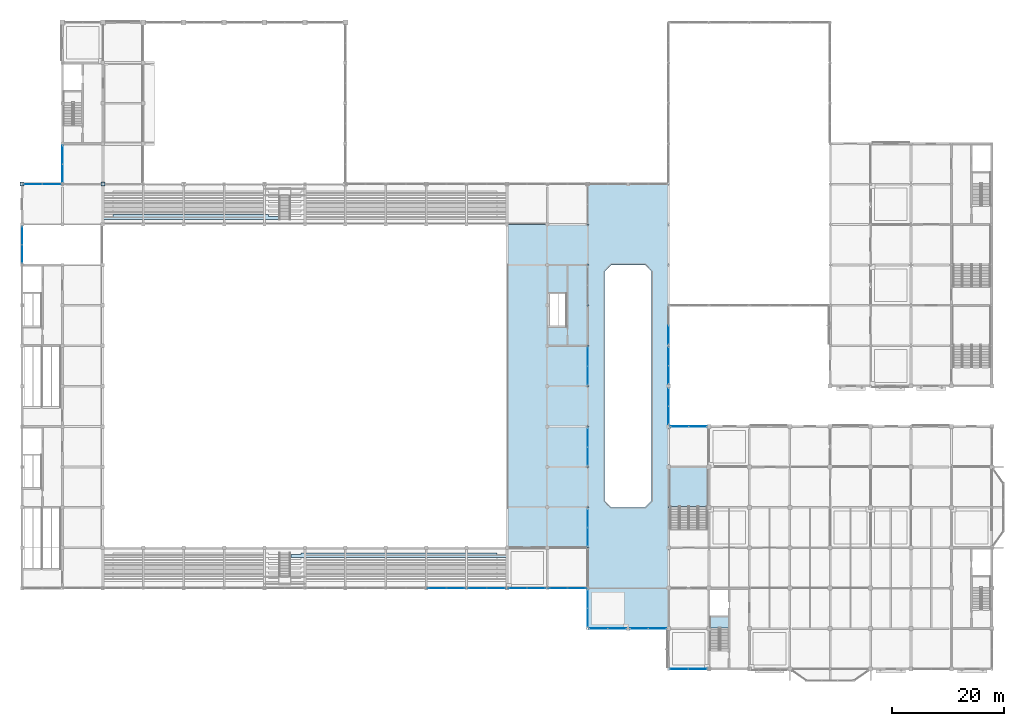
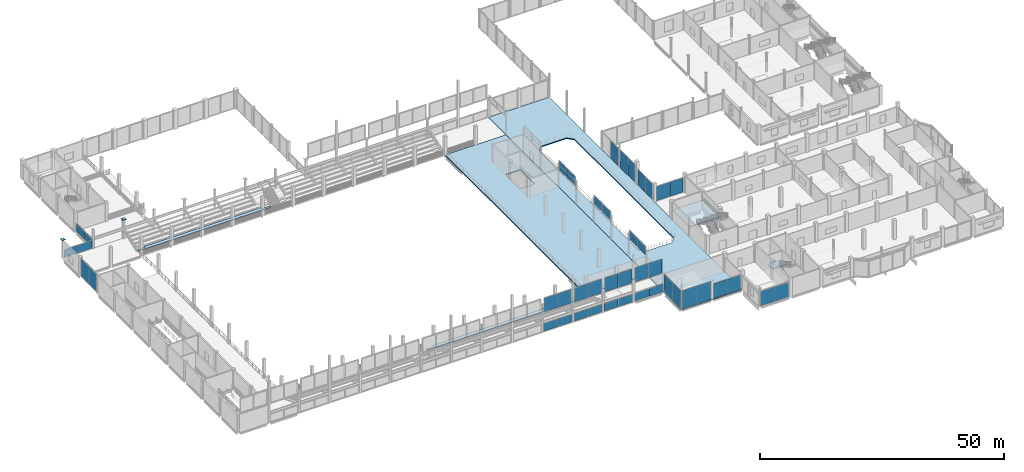
# One storey, part 82 of 120: 47 plates, 6 slabs, 25 elements without a shape of their own.
"""IFC4 building model written with IfcOpenShell, lengths in metres."""

from ifc_helpers import new_model, si_unit, direction, frame, origin, origin_2d, place, context, subcontext, project, spatial, polyline, rectangle, outline, extrude, material, layer, layer_set, type_object, element, aggregate, save


model = new_model("IFC4")

# Units and contexts
model_context = context("Model", 3, precision=1e-05, world=origin(), true_north=direction((0.0, 1.0)))
body_context = subcontext(model_context, "Body", "Model", "MODEL_VIEW")
ifc_project = project(units=[si_unit("LENGTHUNIT", "METRE"), si_unit("AREAUNIT", "SQUARE_METRE"), si_unit("VOLUMEUNIT", "CUBIC_METRE"), si_unit("PLANEANGLEUNIT", "RADIAN"), si_unit("MASSUNIT", "GRAM", prefix="KILO")], contexts=[model_context])

# Site, building, storey
site_placement = place(None, origin())
site = spatial("IfcSite", under=ifc_project, at=site_placement, CompositionType="ELEMENT")
building_placement = place(site_placement, origin())
building = spatial("IfcBuilding", under=site, at=building_placement, Name="Vesperath Aquatics Centre", CompositionType="ELEMENT")
storey_placement = place(building_placement, frame((0.0, 0.0, 10.199951171875)))
storey = spatial("IfcBuildingStorey", under=building, at=storey_placement, Name="L02", CompositionType="ELEMENT", Elevation=10.199951171875)

# Plates
ifc_material_1 = material(Name="Steel Q355D", Category="steel")
ifc_layer_1 = layer(ifc_material_1, 0.035888671875)
ifc_layer_set_1 = layer_set([ifc_layer_1], Name="Steel Q355D")
plate_type_1 = type_object("IfcPlateType", Name="PT-BP02", PredefinedType="SHEET", material=ifc_layer_set_1)
for number, where, z_axis, x_axis, name in (
    (1, (0.0, 86.39990234375, 4.76220703125), (0.0, 0.0, 1.0), (1.0, 0.0, 0.0), "Truss Bearing Base Plate NP02 G1/N"),
    (2, (14.39990234375, 86.39990234375, 4.76220703125), (0.0, 0.0, 1.0), (1.0, 0.0, 0.0), "Truss Bearing Base Plate NP02 G3/N"),
):
    element("IfcPlate", number, at=place(storey_placement, frame(where, z_axis=z_axis, x_axis=x_axis)), inside=storey, type_object=plate_type_1, Name=name, PredefinedType="SHEET", context=body_context, shape_type="SweptSolid", body=[
        extrude(rectangle(XDim=0.75, YDim=0.75, at=origin_2d()), origin(), (0.0, 0.0, 1.0), 0.035888671875),
    ])

# Curtain wall, plates
ifc_material_2 = material(Name="Thermally broken anodised bronze aluminium curtain wall", Category="aluminium")
curtain_wall_type_1 = type_object("IfcCurtainWallType", Name="CW-06", PredefinedType="NOTDEFINED", material=ifc_material_2)
curtain_wall_1_placement = place(storey_placement, origin())
curtain_wall_1 = element("IfcCurtainWall", 3, at=curtain_wall_1_placement, inside=storey, type_object=curtain_wall_type_1, Name="Facade Curtain Wall CW06 L02_S_16_00", PredefinedType="NOTDEFINED")
ifc_material_3 = material(Name="Triple low-E argon insulated vision glass", Category="glass")
ifc_layer_2 = layer(ifc_material_3, 0.035888671875)
ifc_layer_set_2 = layer_set([ifc_layer_2], Name="Triple low-E argon insulated vision glass")
plate_type_2 = type_object("IfcPlateType", Name="PT-CWP05", PredefinedType="CURTAIN_PANEL", material=ifc_layer_set_2)
plate_1_placement = place(storey_placement, frame((117.023681640625, 0.0, 0.070068359375), z_axis=(0.0, 0.0, 1.0), x_axis=(1.0, 0.0, 0.0)))
plate_1 = element("IfcPlate", 4, at=plate_1_placement, type_object=plate_type_2, Name="CW06 panel 1.1", PredefinedType="CURTAIN_PANEL", context=body_context, shape_type="SweptSolid", body=[
    extrude(rectangle(XDim=3.257568359375, YDim=0.035888671875, at=origin_2d()), origin(), (0.0, 0.0, 1.0), 3.6201171875),
])
plate_2_placement = place(storey_placement, frame((120.351318359375, 0.0, 0.070068359375), z_axis=(0.0, 0.0, 1.0), x_axis=(1.0, 0.0, 0.0)))
plate_2 = element("IfcPlate", 5, at=plate_2_placement, type_object=plate_type_2, Name="CW06 panel 2.1", PredefinedType="CURTAIN_PANEL", context=body_context, shape_type="SweptSolid", body=[
    extrude(rectangle(XDim=3.257568359375, YDim=0.035888671875, at=origin_2d()), origin(), (0.0, 0.0, 1.0), 3.6201171875),
])
aggregate(curtain_wall_1, [plate_1, plate_2])

curtain_wall_2_placement = place(storey_placement, origin())
curtain_wall_2 = element("IfcCurtainWall", 6, at=curtain_wall_2_placement, inside=storey, type_object=curtain_wall_type_1, Name="Facade Curtain Wall CW06 L02_S_14_01", PredefinedType="NOTDEFINED")
plate_3_placement = place(storey_placement, frame((102.7138671875, 7.199951171875, 0.070068359375), z_axis=(0.0, 0.0, 1.0), x_axis=(1.0, 0.0, 0.0)))
plate_3 = element("IfcPlate", 7, at=plate_3_placement, type_object=plate_type_2, Name="CW06 panel 1.1", PredefinedType="CURTAIN_PANEL", context=body_context, shape_type="SweptSolid", body=[
    extrude(rectangle(XDim=3.230712890625, YDim=0.035888671875, at=origin_2d()), origin(), (0.0, 0.0, 1.0), 4.419921875),
])
plate_4_placement = place(storey_placement, frame((106.0146484375, 7.199951171875, 0.070068359375), z_axis=(0.0, 0.0, 1.0), x_axis=(1.0, 0.0, 0.0)))
plate_4 = element("IfcPlate", 8, at=plate_4_placement, type_object=plate_type_2, Name="CW06 panel 2.1", PredefinedType="CURTAIN_PANEL", context=body_context, shape_type="SweptSolid", body=[
    extrude(rectangle(XDim=3.230712890625, YDim=0.035888671875, at=origin_2d()), origin(), (0.0, 0.0, 1.0), 4.419921875),
])
aggregate(curtain_wall_2, [plate_3, plate_4])

curtain_wall_3_placement = place(storey_placement, origin())
curtain_wall_3 = element("IfcCurtainWall", 9, at=curtain_wall_3_placement, inside=storey, type_object=curtain_wall_type_1, Name="Facade Curtain Wall CW06 L02_S_15_01", PredefinedType="NOTDEFINED")
plate_5_placement = place(storey_placement, frame((109.955078125, 7.199951171875, 0.070068359375), z_axis=(0.0, 0.0, 1.0), x_axis=(1.0, 0.0, 0.0)))
plate_5 = element("IfcPlate", 10, at=plate_5_placement, type_object=plate_type_2, Name="CW06 panel 1.1", PredefinedType="CURTAIN_PANEL", context=body_context, shape_type="SweptSolid", body=[
    extrude(rectangle(XDim=3.169921875, YDim=0.035888671875, at=origin_2d()), origin(), (0.0, 0.0, 1.0), 3.6201171875),
])
plate_6_placement = place(storey_placement, frame((113.195068359375, 7.199951171875, 0.070068359375), z_axis=(0.0, 0.0, 1.0), x_axis=(1.0, 0.0, 0.0)))
plate_6 = element("IfcPlate", 11, at=plate_6_placement, type_object=plate_type_2, Name="CW06 panel 2.1", PredefinedType="CURTAIN_PANEL", context=body_context, shape_type="SweptSolid", body=[
    extrude(rectangle(XDim=3.169921875, YDim=0.035888671875, at=origin_2d()), origin(), (0.0, 0.0, 1.0), 3.6201171875),
])
aggregate(curtain_wall_3, [plate_5, plate_6])

curtain_wall_4_placement = place(storey_placement, origin())
curtain_wall_4 = element("IfcCurtainWall", 12, at=curtain_wall_4_placement, inside=storey, type_object=curtain_wall_type_1, Name="Facade Curtain Wall CW06 L02_S_10_02", PredefinedType="NOTDEFINED")
plate_7_placement = place(storey_placement, frame((73.919189453125, 14.39990234375, 0.070068359375), z_axis=(0.0, 0.0, 1.0), x_axis=(1.0, 0.0, 0.0)))
plate_7 = element("IfcPlate", 13, at=plate_7_placement, type_object=plate_type_2, Name="CW06 panel 1.1", PredefinedType="CURTAIN_PANEL", context=body_context, shape_type="SweptSolid", body=[
    extrude(rectangle(XDim=3.29150390625, YDim=0.035888671875, at=origin_2d()), origin(), (0.0, 0.0, 1.0), 1.93994140625),
])
plate_8_placement = place(storey_placement, frame((77.28076171875, 14.39990234375, 0.070068359375), z_axis=(0.0, 0.0, 1.0), x_axis=(1.0, 0.0, 0.0)))
plate_8 = element("IfcPlate", 14, at=plate_8_placement, type_object=plate_type_2, Name="CW06 panel 2.1", PredefinedType="CURTAIN_PANEL", context=body_context, shape_type="SweptSolid", body=[
    extrude(rectangle(XDim=3.29150390625, YDim=0.035888671875, at=origin_2d()), origin(), (0.0, 0.0, 1.0), 1.93994140625),
])
aggregate(curtain_wall_4, [plate_7, plate_8])

curtain_wall_5_placement = place(storey_placement, origin())
curtain_wall_5 = element("IfcCurtainWall", 15, at=curtain_wall_5_placement, inside=storey, type_object=curtain_wall_type_1, Name="Facade Curtain Wall CW06 L02_S_11_02", PredefinedType="NOTDEFINED")
plate_9_placement = place(storey_placement, frame((81.119140625, 14.39990234375, 0.070068359375), z_axis=(0.0, 0.0, 1.0), x_axis=(1.0, 0.0, 0.0)))
plate_9 = element("IfcPlate", 16, at=plate_9_placement, type_object=plate_type_2, Name="CW06 panel 1.1", PredefinedType="CURTAIN_PANEL", context=body_context, shape_type="SweptSolid", body=[
    extrude(rectangle(XDim=3.29150390625, YDim=0.035888671875, at=origin_2d()), origin(), (0.0, 0.0, 1.0), 1.93994140625),
])
plate_10_placement = place(storey_placement, frame((84.480712890625, 14.39990234375, 0.070068359375), z_axis=(0.0, 0.0, 1.0), x_axis=(1.0, 0.0, 0.0)))
plate_10 = element("IfcPlate", 17, at=plate_10_placement, type_object=plate_type_2, Name="CW06 panel 2.1", PredefinedType="CURTAIN_PANEL", context=body_context, shape_type="SweptSolid", body=[
    extrude(rectangle(XDim=3.29150390625, YDim=0.035888671875, at=origin_2d()), origin(), (0.0, 0.0, 1.0), 1.93994140625),
])
aggregate(curtain_wall_5, [plate_9, plate_10])

curtain_wall_6_placement = place(storey_placement, origin())
curtain_wall_6 = element("IfcCurtainWall", 18, at=curtain_wall_6_placement, inside=storey, type_object=curtain_wall_type_1, Name="Facade Curtain Wall CW06 L02_S_12_02", PredefinedType="NOTDEFINED")
plate_11_placement = place(storey_placement, frame((88.3193359375, 14.39990234375, 0.070068359375), z_axis=(0.0, 0.0, 1.0), x_axis=(1.0, 0.0, 0.0)))
plate_11 = element("IfcPlate", 19, at=plate_11_placement, type_object=plate_type_2, Name="CW06 panel 1.1", PredefinedType="CURTAIN_PANEL", context=body_context, shape_type="SweptSolid", body=[
    extrude(rectangle(XDim=3.29150390625, YDim=0.035888671875, at=origin_2d()), origin(), (0.0, 0.0, 1.0), 1.93994140625),
])
plate_12_placement = place(storey_placement, frame((91.6806640625, 14.39990234375, 0.070068359375), z_axis=(0.0, 0.0, 1.0), x_axis=(1.0, 0.0, 0.0)))
plate_12 = element("IfcPlate", 20, at=plate_12_placement, type_object=plate_type_2, Name="CW06 panel 2.1", PredefinedType="CURTAIN_PANEL", context=body_context, shape_type="SweptSolid", body=[
    extrude(rectangle(XDim=3.29150390625, YDim=0.035888671875, at=origin_2d()), origin(), (0.0, 0.0, 1.0), 1.93994140625),
])
aggregate(curtain_wall_6, [plate_11, plate_12])

curtain_wall_7_placement = place(storey_placement, origin())
curtain_wall_7 = element("IfcCurtainWall", 21, at=curtain_wall_7_placement, inside=storey, type_object=curtain_wall_type_1, Name="Facade Curtain Wall CW06 L02_S_13_02", PredefinedType="NOTDEFINED")
plate_13_placement = place(storey_placement, frame((95.519287109375, 14.39990234375, 0.070068359375), z_axis=(0.0, 0.0, 1.0), x_axis=(1.0, 0.0, 0.0)))
plate_13 = element("IfcPlate", 22, at=plate_13_placement, type_object=plate_type_2, Name="CW06 panel 1.1", PredefinedType="CURTAIN_PANEL", context=body_context, shape_type="SweptSolid", body=[
    extrude(rectangle(XDim=3.29150390625, YDim=0.035888671875, at=origin_2d()), origin(), (0.0, 0.0, 1.0), 1.93994140625),
])
plate_14_placement = place(storey_placement, frame((98.880859375, 14.39990234375, 0.070068359375), z_axis=(0.0, 0.0, 1.0), x_axis=(1.0, 0.0, 0.0)))
plate_14 = element("IfcPlate", 23, at=plate_14_placement, type_object=plate_type_2, Name="CW06 panel 2.1", PredefinedType="CURTAIN_PANEL", context=body_context, shape_type="SweptSolid", body=[
    extrude(rectangle(XDim=3.29150390625, YDim=0.035888671875, at=origin_2d()), origin(), (0.0, 0.0, 1.0), 1.93994140625),
])
aggregate(curtain_wall_7, [plate_13, plate_14])

curtain_wall_8_placement = place(storey_placement, origin())
curtain_wall_8 = element("IfcCurtainWall", 24, at=curtain_wall_8_placement, inside=storey, type_object=curtain_wall_type_1, Name="Facade Curtain Wall CW06 L02_N_16_06", PredefinedType="NOTDEFINED")
plate_15_placement = place(storey_placement, frame((117.1923828125, 43.199951171875, 0.070068359375), z_axis=(0.0, 0.0, 1.0), x_axis=(1.0, 0.0, 0.0)))
plate_15 = element("IfcPlate", 25, at=plate_15_placement, type_object=plate_type_2, Name="CW06 panel 1.1", PredefinedType="CURTAIN_PANEL", context=body_context, shape_type="SweptSolid", body=[
    extrude(rectangle(XDim=3.14501953125, YDim=0.035888671875, at=origin_2d()), origin(), (0.0, 0.0, 1.0), 3.6201171875),
])
plate_16_placement = place(storey_placement, frame((120.407470703125, 43.199951171875, 0.070068359375), z_axis=(0.0, 0.0, 1.0), x_axis=(1.0, 0.0, 0.0)))
plate_16 = element("IfcPlate", 26, at=plate_16_placement, type_object=plate_type_2, Name="CW06 panel 2.1", PredefinedType="CURTAIN_PANEL", context=body_context, shape_type="SweptSolid", body=[
    extrude(rectangle(XDim=3.14501953125, YDim=0.035888671875, at=origin_2d()), origin(), (0.0, 0.0, 1.0), 3.6201171875),
])
aggregate(curtain_wall_8, [plate_15, plate_16])

curtain_wall_9_placement = place(storey_placement, origin())
curtain_wall_9 = element("IfcCurtainWall", 27, at=curtain_wall_9_placement, inside=storey, type_object=curtain_wall_type_1, Name="Facade Curtain Wall CW06 L02_N_00_12", PredefinedType="NOTDEFINED")
plate_17_placement = place(storey_placement, frame((1.919189453125, 86.39990234375, 0.070068359375), z_axis=(0.0, 0.0, 1.0), x_axis=(1.0, 0.0, 0.0)))
plate_17 = element("IfcPlate", 28, at=plate_17_placement, type_object=plate_type_2, Name="CW06 panel 1.1", PredefinedType="CURTAIN_PANEL", context=body_context, shape_type="SweptSolid", body=[
    extrude(rectangle(XDim=3.29150390625, YDim=0.035888671875, at=origin_2d()), origin(), (0.0, 0.0, 1.0), 1.9599609375),
])
plate_18_placement = place(storey_placement, frame((5.28076171875, 86.39990234375, 0.070068359375), z_axis=(0.0, 0.0, 1.0), x_axis=(1.0, 0.0, 0.0)))
plate_18 = element("IfcPlate", 29, at=plate_18_placement, type_object=plate_type_2, Name="CW06 panel 2.1", PredefinedType="CURTAIN_PANEL", context=body_context, shape_type="SweptSolid", body=[
    extrude(rectangle(XDim=3.29150390625, YDim=0.035888671875, at=origin_2d()), origin(), (0.0, 0.0, 1.0), 1.9599609375),
])
aggregate(curtain_wall_9, [plate_17, plate_18])

curtain_wall_10_placement = place(storey_placement, origin())
curtain_wall_10 = element("IfcCurtainWall", 30, at=curtain_wall_10_placement, inside=storey, type_object=curtain_wall_type_1, Name="Facade Curtain Wall CW06 L02_W_00_10", PredefinedType="NOTDEFINED")
plate_19_placement = place(storey_placement, frame((0.0, 73.967529296875, 0.070068359375), z_axis=(0.0, 0.0, 1.0), x_axis=(0.0, 1.0, 0.0)))
plate_19 = element("IfcPlate", 31, at=plate_19_placement, type_object=plate_type_2, Name="CW06 panel 1.1", PredefinedType="CURTAIN_PANEL", context=body_context, shape_type="SweptSolid", body=[
    extrude(rectangle(XDim=3.195068359375, YDim=0.035888671875, at=origin_2d()), origin(), (0.0, 0.0, 1.0), 4.419921875),
])
plate_20_placement = place(storey_placement, frame((0.0, 77.232421875, 0.070068359375), z_axis=(0.0, 0.0, 1.0), x_axis=(0.0, 1.0, 0.0)))
plate_20 = element("IfcPlate", 32, at=plate_20_placement, type_object=plate_type_2, Name="CW06 panel 2.1", PredefinedType="CURTAIN_PANEL", context=body_context, shape_type="SweptSolid", body=[
    extrude(rectangle(XDim=3.195068359375, YDim=0.035888671875, at=origin_2d()), origin(), (0.0, 0.0, 1.0), 4.419921875),
])
aggregate(curtain_wall_10, [plate_19, plate_20])

curtain_wall_11_placement = place(storey_placement, origin())
curtain_wall_11 = element("IfcCurtainWall", 33, at=curtain_wall_11_placement, inside=storey, type_object=curtain_wall_type_1, Name="Facade Curtain Wall CW06 L02_W_01_12", PredefinedType="NOTDEFINED")
plate_21_placement = place(storey_placement, frame((7.199951171875, 88.302978515625, 0.070068359375), z_axis=(0.0, 0.0, 1.0), x_axis=(0.0, 1.0, 0.0)))
plate_21 = element("IfcPlate", 34, at=plate_21_placement, type_object=plate_type_2, Name="CW06 panel 1.1", PredefinedType="CURTAIN_PANEL", context=body_context, shape_type="SweptSolid", body=[
    extrude(rectangle(XDim=3.238037109375, YDim=0.035888671875, at=origin_2d()), origin(), (0.0, 0.0, 1.0), 1.9599609375),
])
plate_22_placement = place(storey_placement, frame((7.199951171875, 91.611083984375, 0.070068359375), z_axis=(0.0, 0.0, 1.0), x_axis=(0.0, 1.0, 0.0)))
plate_22 = element("IfcPlate", 35, at=plate_22_placement, type_object=plate_type_2, Name="CW06 panel 2.1", PredefinedType="CURTAIN_PANEL", context=body_context, shape_type="SweptSolid", body=[
    extrude(rectangle(XDim=3.238037109375, YDim=0.035888671875, at=origin_2d()), origin(), (0.0, 0.0, 1.0), 1.9599609375),
])
aggregate(curtain_wall_11, [plate_21, plate_22])

curtain_wall_12_placement = place(storey_placement, origin())
curtain_wall_12 = element("IfcCurtainWall", 36, at=curtain_wall_12_placement, inside=storey, type_object=curtain_wall_type_1, Name="Facade Curtain Wall CW06 L02_W_14_01", PredefinedType="NOTDEFINED")
plate_23_placement = place(storey_placement, frame((100.800048828125, 9.13525390625, 0.070068359375), z_axis=(0.0, 0.0, 1.0), x_axis=(0.0, 1.0, 0.0)))
plate_23 = element("IfcPlate", 37, at=plate_23_placement, type_object=plate_type_2, Name="CW06 panel 1.1", PredefinedType="CURTAIN_PANEL", context=body_context, shape_type="SweptSolid", body=[
    extrude(rectangle(XDim=3.273681640625, YDim=0.035888671875, at=origin_2d()), origin(), (0.0, 0.0, 1.0), 4.419921875),
])
plate_24_placement = place(storey_placement, frame((100.800048828125, 12.47900390625, 0.070068359375), z_axis=(0.0, 0.0, 1.0), x_axis=(0.0, 1.0, 0.0)))
plate_24 = element("IfcPlate", 38, at=plate_24_placement, type_object=plate_type_2, Name="CW06 panel 2.1", PredefinedType="CURTAIN_PANEL", context=body_context, shape_type="SweptSolid", body=[
    extrude(rectangle(XDim=3.273681640625, YDim=0.035888671875, at=origin_2d()), origin(), (0.0, 0.0, 1.0), 4.419921875),
])
aggregate(curtain_wall_12, [plate_23, plate_24])

curtain_wall_13_placement = place(storey_placement, origin())
curtain_wall_13 = element("IfcCurtainWall", 39, at=curtain_wall_13_placement, inside=storey, type_object=curtain_wall_type_1, Name="Facade Curtain Wall CW06 L02_E_16_06", PredefinedType="NOTDEFINED")
plate_25_placement = place(storey_placement, frame((115.199951171875, 45.1923828125, 0.0703125), z_axis=(0.0, 0.0, 1.0), x_axis=(0.0, 1.0, 0.0)))
plate_25 = element("IfcPlate", 40, at=plate_25_placement, type_object=plate_type_2, Name="CW06 panel 1.1", PredefinedType="CURTAIN_PANEL", context=body_context, shape_type="SweptSolid", body=[
    extrude(rectangle(XDim=3.14501953125, YDim=0.035888671875, at=origin_2d()), origin(), (0.0, 0.0, 1.0), 3.931884765625),
])
plate_26_placement = place(storey_placement, frame((115.199951171875, 48.407470703125, 0.0703125), z_axis=(0.0, 0.0, 1.0), x_axis=(0.0, 1.0, 0.0)))
plate_26 = element("IfcPlate", 41, at=plate_26_placement, type_object=plate_type_2, Name="CW06 panel 2.1", PredefinedType="CURTAIN_PANEL", context=body_context, shape_type="SweptSolid", body=[
    extrude(rectangle(XDim=3.14501953125, YDim=0.035888671875, at=origin_2d()), origin(), (0.0, 0.0, 1.0), 3.931884765625),
])
aggregate(curtain_wall_13, [plate_25, plate_26])

curtain_wall_14_placement = place(storey_placement, origin())
curtain_wall_14 = element("IfcCurtainWall", 42, at=curtain_wall_14_placement, inside=storey, type_object=curtain_wall_type_1, Name="Facade Curtain Wall CW06 L02_E_16_07", PredefinedType="NOTDEFINED")
plate_27_placement = place(storey_placement, frame((115.199951171875, 52.4228515625, 0.070068359375), z_axis=(0.0, 0.0, 1.0), x_axis=(0.0, 1.0, 0.0)))
plate_27 = element("IfcPlate", 43, at=plate_27_placement, type_object=plate_type_2, Name="CW06 panel 1.1", PredefinedType="CURTAIN_PANEL", context=body_context, shape_type="SweptSolid", body=[
    extrude(rectangle(XDim=3.205810546875, YDim=0.035888671875, at=origin_2d()), origin(), (0.0, 0.0, 1.0), 4.419921875),
])
plate_28_placement = place(storey_placement, frame((115.199951171875, 55.69873046875, 0.070068359375), z_axis=(0.0, 0.0, 1.0), x_axis=(0.0, 1.0, 0.0)))
plate_28 = element("IfcPlate", 44, at=plate_28_placement, type_object=plate_type_2, Name="CW06 panel 2.1", PredefinedType="CURTAIN_PANEL", context=body_context, shape_type="SweptSolid", body=[
    extrude(rectangle(XDim=3.205810546875, YDim=0.035888671875, at=origin_2d()), origin(), (0.0, 0.0, 1.0), 4.419921875),
])
aggregate(curtain_wall_14, [plate_27, plate_28])

# Curtain wall, plate
curtain_wall_15_placement = place(storey_placement, origin())
curtain_wall_15 = element("IfcCurtainWall", 45, at=curtain_wall_15_placement, inside=storey, type_object=curtain_wall_type_1, Name="Facade Curtain Wall CW06 L02_E_16_08", PredefinedType="NOTDEFINED")
plate_29_placement = place(storey_placement, frame((115.199951171875, 59.53173828125, 0.070068359375), z_axis=(0.0, 0.0, 1.0), x_axis=(0.0, 1.0, 0.0)))
plate_29 = element("IfcPlate", 46, at=plate_29_placement, type_object=plate_type_2, Name="CW06 panel 1.1", PredefinedType="CURTAIN_PANEL", context=body_context, shape_type="SweptSolid", body=[
    extrude(rectangle(XDim=3.2666015625, YDim=0.035888671875, at=origin_2d()), origin(), (0.0, 0.0, 1.0), 4.419921875),
])
aggregate(curtain_wall_15, [plate_29])

# Curtain wall, plates
curtain_wall_type_2 = type_object("IfcCurtainWallType", Name="CW-08", PredefinedType="NOTDEFINED", material=ifc_material_2)
curtain_wall_16_placement = place(storey_placement, origin())
curtain_wall_16 = element("IfcCurtainWall", 47, at=curtain_wall_16_placement, inside=storey, type_object=curtain_wall_type_2, Name="Natatorium Gable West Curtain Wall CW08 S-6W", PredefinedType="NOTDEFINED")
ifc_layer_3 = layer(ifc_material_3, 0.035888671875)
ifc_layer_set_3 = layer_set([ifc_layer_3], Name="Triple low-E argon insulated vision glass")
plate_type_3 = type_object("IfcPlateType", Name="PT-CWP07", PredefinedType="CURTAIN_PANEL", material=ifc_layer_set_3)
plate_30_placement = place(storey_placement, frame((73.99365234375, 14.39990234375, 4.824951171875), z_axis=(0.0, 0.0, 1.0), x_axis=(1.0, 0.0, 0.0)))
plate_30 = element("IfcPlate", 48, at=plate_30_placement, type_object=plate_type_3, Name="CW08 panel 1.1", PredefinedType="CURTAIN_PANEL", context=body_context, shape_type="SweptSolid", body=[
    extrude(rectangle(XDim=3.137451171875, YDim=0.035888671875, at=origin_2d()), origin(), (0.0, 0.0, 1.0), 3.5),
])
plate_31_placement = place(storey_placement, frame((77.206298828125, 14.39990234375, 4.824951171875), z_axis=(0.0, 0.0, 1.0), x_axis=(1.0, 0.0, 0.0)))
plate_31 = element("IfcPlate", 49, at=plate_31_placement, type_object=plate_type_3, Name="CW08 panel 2.1", PredefinedType="CURTAIN_PANEL", context=body_context, shape_type="SweptSolid", body=[
    extrude(rectangle(XDim=3.137451171875, YDim=0.035888671875, at=origin_2d()), origin(), (0.0, 0.0, 1.0), 3.5),
])
aggregate(curtain_wall_16, [plate_30, plate_31])

curtain_wall_17_placement = place(storey_placement, origin())
curtain_wall_17 = element("IfcCurtainWall", 50, at=curtain_wall_17_placement, inside=storey, type_object=curtain_wall_type_2, Name="Natatorium Gable East Curtain Wall CW08 S-6E", PredefinedType="NOTDEFINED")
plate_32_placement = place(storey_placement, frame((81.19384765625, 14.39990234375, 4.824951171875), z_axis=(0.0, 0.0, 1.0), x_axis=(1.0, 0.0, 0.0)))
plate_32 = element("IfcPlate", 51, at=plate_32_placement, type_object=plate_type_3, Name="CW08 panel 1.1", PredefinedType="CURTAIN_PANEL", context=body_context, shape_type="SweptSolid", body=[
    extrude(rectangle(XDim=3.137451171875, YDim=0.035888671875, at=origin_2d()), origin(), (0.0, 0.0, 1.0), 3.5),
])
plate_33_placement = place(storey_placement, frame((84.40625, 14.39990234375, 4.824951171875), z_axis=(0.0, 0.0, 1.0), x_axis=(1.0, 0.0, 0.0)))
plate_33 = element("IfcPlate", 52, at=plate_33_placement, type_object=plate_type_3, Name="CW08 panel 2.1", PredefinedType="CURTAIN_PANEL", context=body_context, shape_type="SweptSolid", body=[
    extrude(rectangle(XDim=3.137451171875, YDim=0.035888671875, at=origin_2d()), origin(), (0.0, 0.0, 1.0), 3.5),
])
aggregate(curtain_wall_17, [plate_32, plate_33])

curtain_wall_18_placement = place(storey_placement, origin())
curtain_wall_18 = element("IfcCurtainWall", 53, at=curtain_wall_18_placement, inside=storey, type_object=curtain_wall_type_2, Name="Natatorium Gable West Curtain Wall CW08 S-7W", PredefinedType="NOTDEFINED")
plate_34_placement = place(storey_placement, frame((88.393798828125, 14.39990234375, 4.824951171875), z_axis=(0.0, 0.0, 1.0), x_axis=(1.0, 0.0, 0.0)))
plate_34 = element("IfcPlate", 54, at=plate_34_placement, type_object=plate_type_3, Name="CW08 panel 1.1", PredefinedType="CURTAIN_PANEL", context=body_context, shape_type="SweptSolid", body=[
    extrude(rectangle(XDim=3.137451171875, YDim=0.035888671875, at=origin_2d()), origin(), (0.0, 0.0, 1.0), 3.5),
])
plate_35_placement = place(storey_placement, frame((91.606201171875, 14.39990234375, 4.824951171875), z_axis=(0.0, 0.0, 1.0), x_axis=(1.0, 0.0, 0.0)))
plate_35 = element("IfcPlate", 55, at=plate_35_placement, type_object=plate_type_3, Name="CW08 panel 2.1", PredefinedType="CURTAIN_PANEL", context=body_context, shape_type="SweptSolid", body=[
    extrude(rectangle(XDim=3.137451171875, YDim=0.035888671875, at=origin_2d()), origin(), (0.0, 0.0, 1.0), 3.5),
])
aggregate(curtain_wall_18, [plate_34, plate_35])

curtain_wall_19_placement = place(storey_placement, origin())
curtain_wall_19 = element("IfcCurtainWall", 56, at=curtain_wall_19_placement, inside=storey, type_object=curtain_wall_type_2, Name="Natatorium Gable East Curtain Wall CW08 S-7E", PredefinedType="NOTDEFINED")
plate_36_placement = place(storey_placement, frame((95.59375, 14.39990234375, 4.824951171875), z_axis=(0.0, 0.0, 1.0), x_axis=(1.0, 0.0, 0.0)))
plate_36 = element("IfcPlate", 57, at=plate_36_placement, type_object=plate_type_3, Name="CW08 panel 1.1", PredefinedType="CURTAIN_PANEL", context=body_context, shape_type="SweptSolid", body=[
    extrude(rectangle(XDim=3.137451171875, YDim=0.035888671875, at=origin_2d()), origin(), (0.0, 0.0, 1.0), 3.5),
])
plate_37_placement = place(storey_placement, frame((98.80615234375, 14.39990234375, 4.824951171875), z_axis=(0.0, 0.0, 1.0), x_axis=(1.0, 0.0, 0.0)))
plate_37 = element("IfcPlate", 58, at=plate_37_placement, type_object=plate_type_3, Name="CW08 panel 2.1", PredefinedType="CURTAIN_PANEL", context=body_context, shape_type="SweptSolid", body=[
    extrude(rectangle(XDim=3.137451171875, YDim=0.035888671875, at=origin_2d()), origin(), (0.0, 0.0, 1.0), 3.5),
])
aggregate(curtain_wall_19, [plate_36, plate_37])

curtain_wall_type_3 = type_object("IfcCurtainWallType", Name="CW-10", PredefinedType="NOTDEFINED", material=ifc_material_2)
curtain_wall_20_placement = place(storey_placement, origin())
curtain_wall_20 = element("IfcCurtainWall", 59, at=curtain_wall_20_placement, inside=storey, type_object=curtain_wall_type_3, Name="Conservatory Vault Clerestory CW10 W-8", PredefinedType="NOTDEFINED")
plate_38_placement = place(storey_placement, frame((100.800048828125, 52.342529296875, 4.469970703125), z_axis=(0.0, 0.0, 1.0), x_axis=(0.0, 1.0, 0.0)))
plate_38 = element("IfcPlate", 60, at=plate_38_placement, type_object=plate_type_3, Name="CW10 panel 1.1", PredefinedType="CURTAIN_PANEL", context=body_context, shape_type="SweptSolid", body=[
    extrude(rectangle(XDim=3.2451171875, YDim=0.035888671875, at=origin_2d()), origin(), (0.0, 0.0, 1.0), 1.2099609375),
])
plate_39_placement = place(storey_placement, frame((100.800048828125, 55.657470703125, 4.469970703125), z_axis=(0.0, 0.0, 1.0), x_axis=(0.0, 1.0, 0.0)))
plate_39 = element("IfcPlate", 61, at=plate_39_placement, type_object=plate_type_3, Name="CW10 panel 2.1", PredefinedType="CURTAIN_PANEL", context=body_context, shape_type="SweptSolid", body=[
    extrude(rectangle(XDim=3.2451171875, YDim=0.035888671875, at=origin_2d()), origin(), (0.0, 0.0, 1.0), 1.2099609375),
])
aggregate(curtain_wall_20, [plate_38, plate_39])

curtain_wall_type_4 = type_object("IfcCurtainWallType", Name="CW-09", PredefinedType="NOTDEFINED", material=ifc_material_2)
curtain_wall_21_placement = place(storey_placement, origin())
curtain_wall_21 = element("IfcCurtainWall", 62, at=curtain_wall_21_placement, inside=storey, type_object=curtain_wall_type_4, Name="Natatorium End Clerestory Curtain Wall CW09 E-4", PredefinedType="NOTDEFINED")
ifc_layer_4 = layer(ifc_material_3, 0.0380859375)
ifc_layer_set_4 = layer_set([ifc_layer_4], Name="Triple low-E argon insulated vision glass")
plate_type_4 = type_object("IfcPlateType", Name="PT-CWP08", PredefinedType="CURTAIN_PANEL", material=ifc_layer_set_4)
plate_40_placement = place(storey_placement, frame((100.800048828125, 23.543701171875, 4.675048828125), z_axis=(0.0, 0.0, 1.0), x_axis=(0.0, 1.0, 0.0)))
plate_40 = element("IfcPlate", 63, at=plate_40_placement, type_object=plate_type_4, Name="CW09 panel 1.1", PredefinedType="CURTAIN_PANEL", context=body_context, shape_type="SweptSolid", body=[
    extrude(rectangle(XDim=3.237548828125, YDim=0.0380859375, at=origin_2d()), origin(), (0.0, 0.0, 1.0), 2.10009765625),
])
plate_41_placement = place(storey_placement, frame((100.800048828125, 26.856201171875, 4.675048828125), z_axis=(0.0, 0.0, 1.0), x_axis=(0.0, 1.0, 0.0)))
plate_41 = element("IfcPlate", 64, at=plate_41_placement, type_object=plate_type_4, Name="CW09 panel 2.1", PredefinedType="CURTAIN_PANEL", context=body_context, shape_type="SweptSolid", body=[
    extrude(rectangle(XDim=3.237548828125, YDim=0.0380859375, at=origin_2d()), origin(), (0.0, 0.0, 1.0), 2.10009765625),
])
aggregate(curtain_wall_21, [plate_40, plate_41])

curtain_wall_22_placement = place(storey_placement, origin())
curtain_wall_22 = element("IfcCurtainWall", 65, at=curtain_wall_22_placement, inside=storey, type_object=curtain_wall_type_4, Name="Natatorium End Clerestory Curtain Wall CW09 E-6", PredefinedType="NOTDEFINED")
plate_42_placement = place(storey_placement, frame((100.800048828125, 37.94384765625, 4.675048828125), z_axis=(0.0, 0.0, 1.0), x_axis=(0.0, 1.0, 0.0)))
plate_42 = element("IfcPlate", 66, at=plate_42_placement, type_object=plate_type_4, Name="CW09 panel 1.1", PredefinedType="CURTAIN_PANEL", context=body_context, shape_type="SweptSolid", body=[
    extrude(rectangle(XDim=3.237548828125, YDim=0.0380859375, at=origin_2d()), origin(), (0.0, 0.0, 1.0), 2.10009765625),
])
plate_43_placement = place(storey_placement, frame((100.800048828125, 41.25634765625, 4.675048828125), z_axis=(0.0, 0.0, 1.0), x_axis=(0.0, 1.0, 0.0)))
plate_43 = element("IfcPlate", 67, at=plate_43_placement, type_object=plate_type_4, Name="CW09 panel 2.1", PredefinedType="CURTAIN_PANEL", context=body_context, shape_type="SweptSolid", body=[
    extrude(rectangle(XDim=3.237548828125, YDim=0.0380859375, at=origin_2d()), origin(), (0.0, 0.0, 1.0), 2.10009765625),
])
aggregate(curtain_wall_22, [plate_42, plate_43])

curtain_wall_23_placement = place(storey_placement, origin())
curtain_wall_23 = element("IfcCurtainWall", 68, at=curtain_wall_23_placement, inside=storey, type_object=curtain_wall_type_4, Name="Natatorium End Clerestory Curtain Wall CW09 E-8", PredefinedType="NOTDEFINED")
plate_44_placement = place(storey_placement, frame((100.800048828125, 52.34375, 4.675048828125), z_axis=(0.0, 0.0, 1.0), x_axis=(0.0, 1.0, 0.0)))
plate_44 = element("IfcPlate", 69, at=plate_44_placement, type_object=plate_type_4, Name="CW09 panel 1.1", PredefinedType="CURTAIN_PANEL", context=body_context, shape_type="SweptSolid", body=[
    extrude(rectangle(XDim=3.237548828125, YDim=0.0380859375, at=origin_2d()), origin(), (0.0, 0.0, 1.0), 2.10009765625),
])
plate_45_placement = place(storey_placement, frame((100.800048828125, 55.65625, 4.675048828125), z_axis=(0.0, 0.0, 1.0), x_axis=(0.0, 1.0, 0.0)))
plate_45 = element("IfcPlate", 70, at=plate_45_placement, type_object=plate_type_4, Name="CW09 panel 2.1", PredefinedType="CURTAIN_PANEL", context=body_context, shape_type="SweptSolid", body=[
    extrude(rectangle(XDim=3.237548828125, YDim=0.0380859375, at=origin_2d()), origin(), (0.0, 0.0, 1.0), 2.10009765625),
])
aggregate(curtain_wall_23, [plate_44, plate_45])

# Slabs
ifc_material_4 = material(Name="Concrete C35", Category="concrete")
ifc_layer_5 = layer(ifc_material_4, 0.260009765625)
ifc_layer_set_5 = layer_set([ifc_layer_5], Name="Concrete C35")
slab_type_1 = type_object("IfcSlabType", Name="SL-FL02", PredefinedType="FLOOR", material=ifc_layer_set_5)
slab_1_placement = place(storey_placement, frame((0.0, 0.0, -0.260009765625)))
element("IfcSlab", 71, at=slab_1_placement, inside=storey, type_object=slab_type_1, Name="Upper East Bowl Promenade Slab SL02 L02", PredefinedType="FLOOR", context=body_context, shape_type="SweptSolid", body=[
    extrude(outline(polyline([(86.39990234375, 21.60009765625), (100.800048828125, 21.60009765625), (100.800048828125, 79.199951171875), (86.39990234375, 79.199951171875), (86.39990234375, 21.60009765625)]), holes=[polyline([(93.679931640625, 61.050048828125), (97.139892578125, 61.050048828125), (97.139892578125, 66.9599609375), (93.679931640625, 66.9599609375), (93.679931640625, 61.050048828125)])]), origin(), (0.0, 0.0, 1.0), 0.260009765625),
])
slab_2_placement = place(storey_placement, frame((0.0, 0.0, -0.260009765625)))
element("IfcSlab", 72, at=slab_2_placement, inside=storey, type_object=slab_type_1, Name="Conservatory Upper Gallery Slab SL02 L02", PredefinedType="FLOOR", context=body_context, shape_type="SweptSolid", body=[
    extrude(outline(polyline([(100.800048828125, 7.199951171875), (115.199951171875, 7.199951171875), (115.199951171875, 86.39990234375), (100.800048828125, 86.39990234375), (100.800048828125, 7.199951171875)]), holes=[polyline([(105.0, 28.800048828125), (111.0, 28.800048828125), (112.199951171875, 30.0), (112.199951171875, 70.800048828125), (111.0, 72.0), (105.0, 72.0), (103.800048828125, 70.800048828125), (103.800048828125, 30.0), (105.0, 28.800048828125)])]), origin(), (0.0, 0.0, 1.0), 0.260009765625),
])

# Stair, slab
stair_type_1 = type_object("IfcStairType", Name="ST-HT48", PredefinedType="HALF_TURN_STAIR", material=ifc_material_4)
stair_1_placement = place(storey_placement, origin())
stair_1 = element("IfcStair", 73, at=stair_1_placement, inside=storey, type_object=stair_type_1, Name="Enclosed Exit Stair ST5 L02", PredefinedType="HALF_TURN_STAIR")
ifc_layer_6 = layer(ifc_material_4, 0.199951171875)
ifc_layer_set_6 = layer_set([ifc_layer_6], Name="Concrete C35")
slab_type_2 = type_object("IfcSlabType", Name="SL-LND1", PredefinedType="LANDING", material=ifc_layer_set_6)
slab_3_placement = place(storey_placement, frame((0.0, 0.0, 2.199951171875)))
slab_3 = element("IfcSlab", 74, at=slab_3_placement, type_object=slab_type_2, Name="Stair ST5 Half-Landing L02", PredefinedType="LANDING", context=body_context, shape_type="SweptSolid", body=[
    extrude(outline(polyline([(122.489990234375, 7.340087890625), (125.919921875, 7.340087890625), (125.919921875, 9.300048828125), (122.489990234375, 9.300048828125), (122.489990234375, 7.340087890625)])), origin(), (0.0, 0.0, 1.0), 0.2001953125),
])
aggregate(stair_1, [slab_3])

stair_type_2 = type_object("IfcStairType", Name="ST-HW48", PredefinedType="HALF_TURN_STAIR", material=ifc_material_4)
stair_2_placement = place(storey_placement, origin())
stair_2 = element("IfcStair", 75, at=stair_2_placement, inside=storey, type_object=stair_type_2, Name="Enclosed Exit Stair ST7A L02", PredefinedType="HALF_TURN_STAIR")
slab_4_placement = place(storey_placement, frame((0.0, 0.0, 2.199951171875)))
slab_4 = element("IfcSlab", 76, at=slab_4_placement, type_object=slab_type_2, Name="Stairs ST7A and ST7B Half-Landing L02", PredefinedType="LANDING", context=body_context, shape_type="SweptSolid", body=[
    extrude(outline(polyline([(115.2900390625, 28.93994140625), (122.31005859375, 28.93994140625), (122.31005859375, 35.909912109375), (115.2900390625, 35.909912109375), (115.2900390625, 28.93994140625)])), origin(), (0.0, 0.0, 1.0), 0.2001953125),
])
aggregate(stair_2, [slab_4])

# Slabs
ifc_material_5 = material(Name="Precast concrete C35", Category="concrete")
ifc_layer_7 = layer(ifc_material_5, 0.179931640625)
ifc_layer_set_7 = layer_set([ifc_layer_7], Name="Precast concrete C35")
slab_type_3 = type_object("IfcSlabType", Name="SL-ST01", PredefinedType="USERDEFINED", material=ifc_layer_set_7)
slab_5_placement = place(storey_placement, frame((0.0, 0.0, 0.469970703125)))
element("IfcSlab", 77, at=slab_5_placement, inside=storey, type_object=slab_type_3, Name="Stand Upper North U1 Row 1", ObjectType="SEATING TIER", PredefinedType="USERDEFINED", context=body_context, shape_type="SweptSolid", body=[
    extrude(outline(polyline([(14.39990234375, 80.10009765625), (45.699951171875, 80.10009765625), (45.699951171875, 80.610107421875), (43.89990234375, 80.610107421875), (43.89990234375, 80.949951171875), (16.199951171875, 80.949951171875), (16.199951171875, 80.610107421875), (14.39990234375, 80.610107421875), (14.39990234375, 80.10009765625)])), origin(), (0.0, 0.0, 1.0), 0.18017578125),
])
slab_6_placement = place(storey_placement, frame((0.0, 0.0, 0.469970703125)))
element("IfcSlab", 78, at=slab_6_placement, inside=storey, type_object=slab_type_3, Name="Stand Upper South U2 Row 1", ObjectType="SEATING TIER", PredefinedType="USERDEFINED", context=body_context, shape_type="SweptSolid", body=[
    extrude(outline(polyline([(47.89990234375, 19.85009765625), (86.39990234375, 19.85009765625), (86.39990234375, 20.360107421875), (84.60009765625, 20.360107421875), (84.60009765625, 20.699951171875), (49.699951171875, 20.699951171875), (49.699951171875, 20.360107421875), (47.89990234375, 20.360107421875), (47.89990234375, 19.85009765625)])), origin(), (0.0, 0.0, 1.0), 0.18017578125),
])

save(model, "model.ifc")
